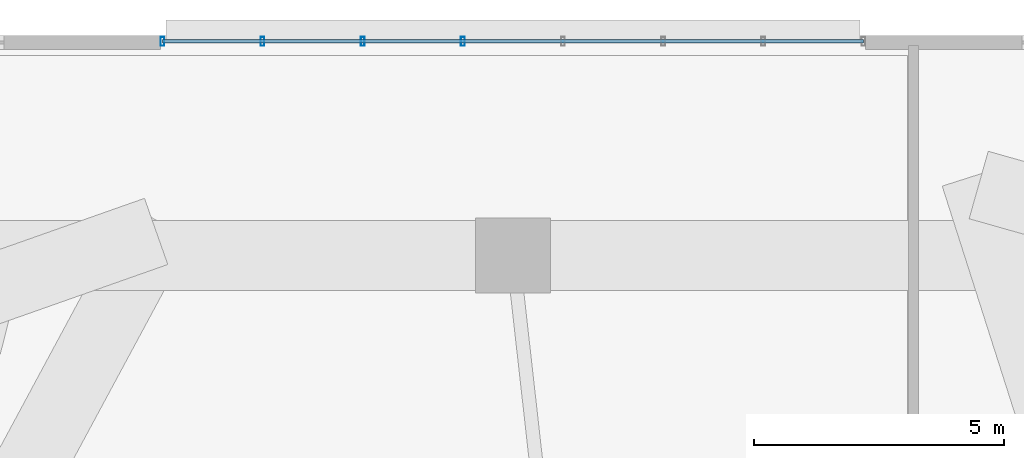
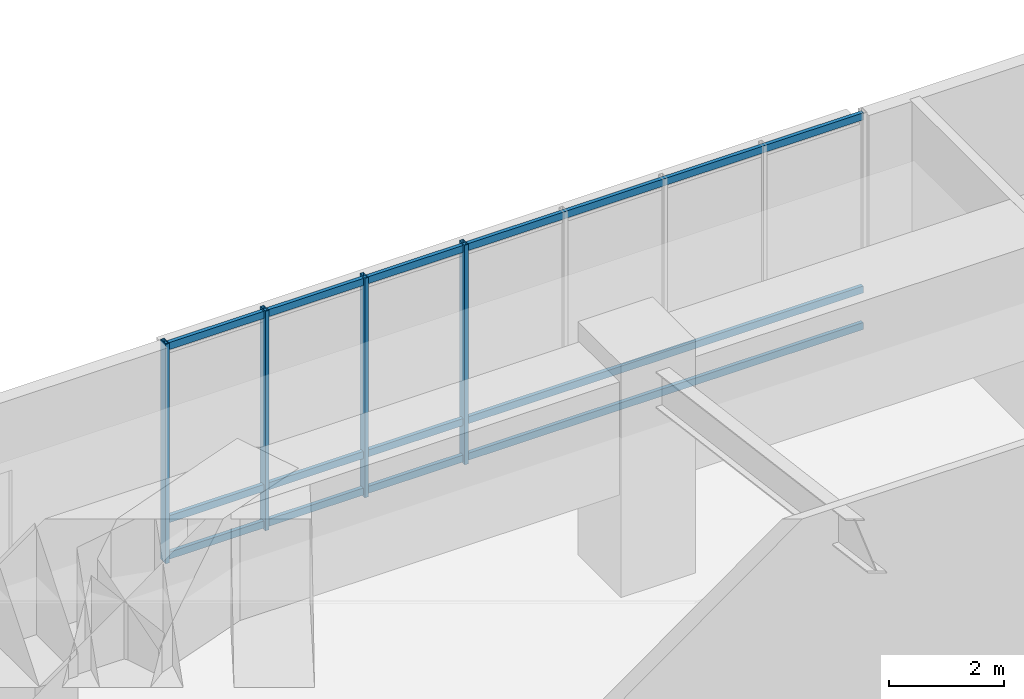
# One storey, part 9 of 26: 7 members, 1 element without a shape of its own.
"""IFC4 building model written with IfcOpenShell, lengths in metres."""

from ifc_helpers import new_model, si_unit, direction, frame, origin, origin_2d, place, context, subcontext, project, spatial, hollow_rectangle, extrude, material, material_profile, profile_set, type_object, element, aggregate, save


model = new_model("IFC4")

# Units and contexts
model_context = context("Model", 3, precision=1e-05, world=origin(), true_north=direction((0.0, 1.0)))
body_context = subcontext(model_context, "Body", "Model", "MODEL_VIEW")
ifc_project = project(units=[si_unit("LENGTHUNIT", "METRE"), si_unit("AREAUNIT", "SQUARE_METRE"), si_unit("VOLUMEUNIT", "CUBIC_METRE"), si_unit("PLANEANGLEUNIT", "RADIAN"), si_unit("MASSUNIT", "GRAM", prefix="KILO")], contexts=[model_context])

# Site, building, storey
site_placement = place(None, origin())
site = spatial("IfcSite", under=ifc_project, at=site_placement, CompositionType="ELEMENT")
building_placement = place(site_placement, origin())
building = spatial("IfcBuilding", under=site, at=building_placement, Name="Zulverin Broadcast Headquarters", CompositionType="ELEMENT")
storey_placement = place(building_placement, frame((0.0, 0.0, 20.0)))
storey = spatial("IfcBuildingStorey", under=building, at=storey_placement, Name="L04", CompositionType="ELEMENT", Elevation=20.0)

# Curtain wall, members
ifc_material_1 = material(Name="Pale-metal unitised podium curtain wall", Category="aluminium")
curtain_wall_type = type_object("IfcCurtainWallType", Name="CW-POD", PredefinedType="USERDEFINED", material=ifc_material_1)
curtain_wall_placement = place(storey_placement, origin())
curtain_wall = element("IfcCurtainWall", 1, at=curtain_wall_placement, inside=storey, type_object=curtain_wall_type, Name="L04 Unitised Curtain Wall CW-L04-N2", ObjectType="UNITISED CURTAIN WALL", PredefinedType="USERDEFINED")
ifc_material_2 = material(Name="Anodized pale-metal aluminium alloy 6063-T6", Category="aluminium")
ifc_material_profile_1 = material_profile(ifc_material_2, hollow_rectangle(XDim=0.074951171875, YDim=0.179931640625, WallThickness=0.0048828125, at=origin_2d()), Name="Anodized pale-metal aluminium alloy 6063-T6", Category="aluminium")
ifc_profile_set_1 = profile_set([ifc_material_profile_1], Name="Anodized pale-metal aluminium alloy 6063-T6")
member_type_1 = type_object("IfcMemberType", Name="CW-MUL-180", PredefinedType="MULLION", material=ifc_profile_set_1)
member_1_placement = place(storey_placement, frame((36.0, 50.280029296875, -0.030029296875), z_axis=(0.0, 0.0, 1.0), x_axis=(-1.0, 0.0, 0.0)))
member_1 = element("IfcMember", 2, at=member_1_placement, type_object=member_type_1, Name="CW-L04-N2 Mullion 04", PredefinedType="MULLION", context=body_context, shape_type="SweptSolid", body=[
    extrude(hollow_rectangle(XDim=0.074951171875, YDim=0.179931640625, WallThickness=0.0048828125, at=origin_2d()), origin(), (0.0, 0.0, 1.0), 4.659912109375),
])
member_2_placement = place(storey_placement, frame((34.0, 50.280029296875, -0.030029296875), z_axis=(0.0, 0.0, 1.0), x_axis=(-1.0, 0.0, 0.0)))
member_2 = element("IfcMember", 3, at=member_2_placement, type_object=member_type_1, Name="CW-L04-N2 Mullion 05", PredefinedType="MULLION", context=body_context, shape_type="SweptSolid", body=[
    extrude(hollow_rectangle(XDim=0.074951171875, YDim=0.179931640625, WallThickness=0.0048828125, at=origin_2d()), origin(), (0.0, 0.0, 1.0), 4.659912109375),
])
member_3_placement = place(storey_placement, frame((32.0, 50.280029296875, -0.030029296875), z_axis=(0.0, 0.0, 1.0), x_axis=(-1.0, 0.0, 0.0)))
member_3 = element("IfcMember", 4, at=member_3_placement, type_object=member_type_1, Name="CW-L04-N2 Mullion 06", PredefinedType="MULLION", context=body_context, shape_type="SweptSolid", body=[
    extrude(hollow_rectangle(XDim=0.074951171875, YDim=0.179931640625, WallThickness=0.0048828125, at=origin_2d()), origin(), (0.0, 0.0, 1.0), 4.659912109375),
])
member_4_placement = place(storey_placement, frame((30.0, 50.280029296875, -0.030029296875), z_axis=(0.0, 0.0, 1.0), x_axis=(-1.0, 0.0, 0.0)))
member_4 = element("IfcMember", 5, at=member_4_placement, type_object=member_type_1, Name="CW-L04-N2 Mullion 07", PredefinedType="MULLION", context=body_context, shape_type="SweptSolid", body=[
    extrude(hollow_rectangle(XDim=0.074951171875, YDim=0.179931640625, WallThickness=0.0048828125, at=origin_2d()), origin(), (0.0, 0.0, 1.0), 4.659912109375),
])
ifc_material_profile_2 = material_profile(ifc_material_2, hollow_rectangle(XDim=0.074951171875, YDim=0.14990234375, WallThickness=0.0048828125, at=origin_2d()), Name="Anodized pale-metal aluminium alloy 6063-T6", Category="aluminium")
ifc_profile_set_2 = profile_set([ifc_material_profile_2], Name="Anodized pale-metal aluminium alloy 6063-T6")
member_type_2 = type_object("IfcMemberType", Name="CW-TRN-150", PredefinedType="USERDEFINED", material=ifc_profile_set_2)
member_5_placement = place(storey_placement, frame((44.0, 50.280029296875, 0.074951171875), z_axis=(-1.0, 0.0, 0.0), x_axis=(0.0, -1.0, 0.0)))
member_5 = element("IfcMember", 6, at=member_5_placement, type_object=member_type_2, Name="CW-L04-N2 Transom 0", ObjectType="TRANSOM", PredefinedType="USERDEFINED", context=body_context, shape_type="SweptSolid", body=[
    extrude(hollow_rectangle(XDim=0.074951171875, YDim=0.14990234375, WallThickness=0.0048828125, at=origin_2d()), origin(), (0.0, 0.0, 1.0), 14.0),
])
member_6_placement = place(storey_placement, frame((44.0, 50.280029296875, 0.85009765625), z_axis=(-1.0, 0.0, 0.0), x_axis=(0.0, -1.0, 0.0)))
member_6 = element("IfcMember", 7, at=member_6_placement, type_object=member_type_2, Name="CW-L04-N2 Transom 1", ObjectType="TRANSOM", PredefinedType="USERDEFINED", context=body_context, shape_type="SweptSolid", body=[
    extrude(hollow_rectangle(XDim=0.074951171875, YDim=0.14990234375, WallThickness=0.0048828125, at=origin_2d()), origin(), (0.0, 0.0, 1.0), 14.0),
])
member_7_placement = place(storey_placement, frame((44.0, 50.280029296875, 4.52490234375), z_axis=(-1.0, 0.0, 0.0), x_axis=(0.0, -1.0, 0.0)))
member_7 = element("IfcMember", 8, at=member_7_placement, type_object=member_type_2, Name="CW-L04-N2 Transom 2", ObjectType="TRANSOM", PredefinedType="USERDEFINED", context=body_context, shape_type="SweptSolid", body=[
    extrude(hollow_rectangle(XDim=0.074951171875, YDim=0.14990234375, WallThickness=0.0048828125, at=origin_2d()), origin(), (0.0, 0.0, 1.0), 14.0),
])
aggregate(curtain_wall, [member_1, member_2, member_3, member_4, member_5, member_6, member_7])

save(model, "model.ifc")
